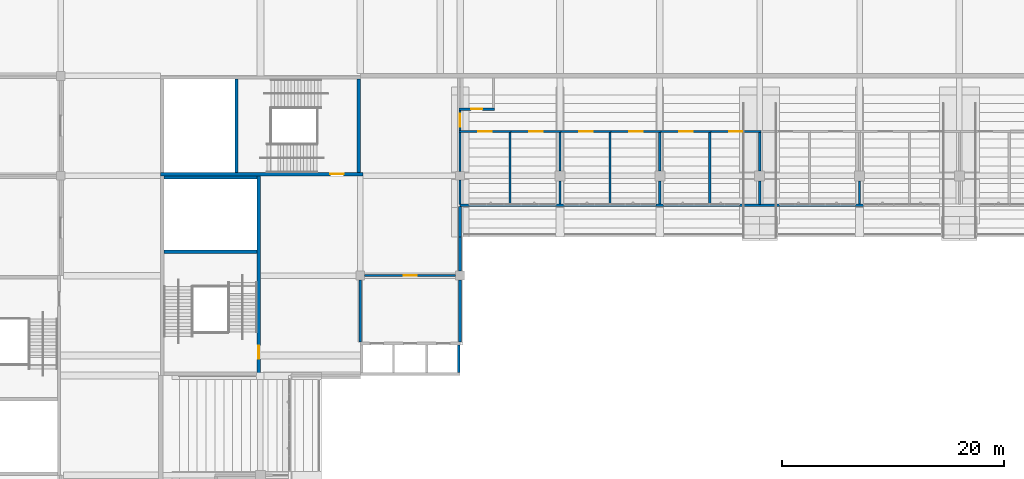
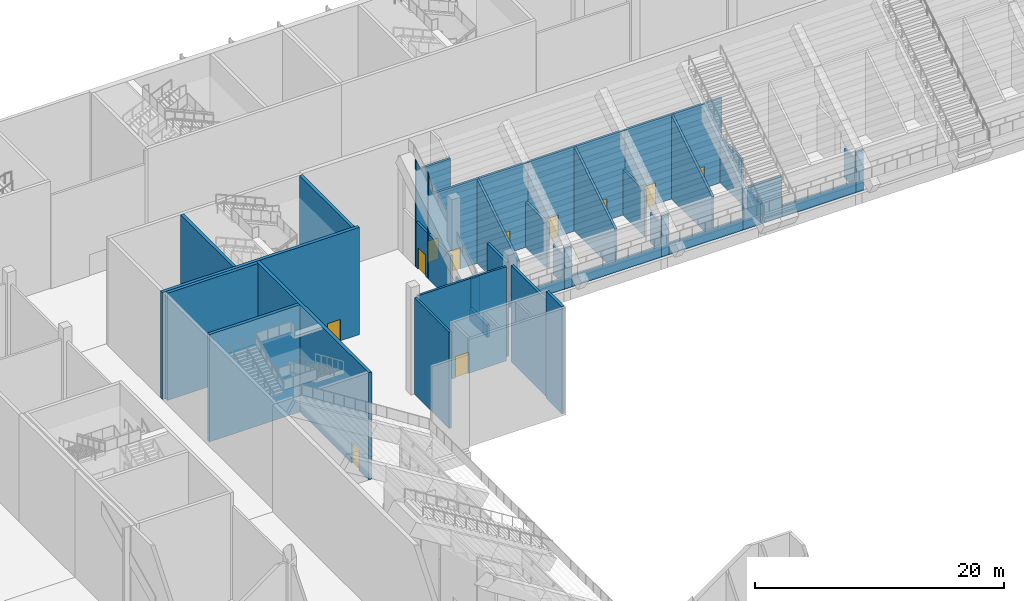
# One storey, part 85 of 182: 41 walls, 11 doors, 11 openings.
"""IFC4 building model written with IfcOpenShell, lengths in metres."""

from ifc_helpers import new_model, si_unit, direction, frame, frame_2d, origin, place, context, subcontext, project, spatial, polyline, rectangle, outline, extrude, material, layer, layer_set, type_object, element, fill, save


model = new_model("IFC4")

# Units and contexts
model_context = context("Model", 3, precision=1e-05, world=origin(), true_north=direction((0.0, 1.0)))
body_context = subcontext(model_context, "Body", "Model", "MODEL_VIEW")
ifc_project = project(units=[si_unit("LENGTHUNIT", "METRE"), si_unit("AREAUNIT", "SQUARE_METRE"), si_unit("VOLUMEUNIT", "CUBIC_METRE"), si_unit("PLANEANGLEUNIT", "RADIAN"), si_unit("MASSUNIT", "GRAM", prefix="KILO")], contexts=[model_context])

# Site, building, storey
site_placement = place(None, origin())
site = spatial("IfcSite", under=ifc_project, at=site_placement, CompositionType="ELEMENT")
building_placement = place(site_placement, origin())
building = spatial("IfcBuilding", under=site, at=building_placement, Name="Silverbay Arena", CompositionType="ELEMENT")
storey_placement = place(building_placement, frame((0.0, 0.0, 11.5)))
storey = spatial("IfcBuildingStorey", under=building, at=storey_placement, Name="L02", CompositionType="ELEMENT", Elevation=11.5)

# Walls
ifc_material_1 = material(Name="Concrete Grade C45", Category="concrete")
ifc_layer_1 = layer(ifc_material_1, 0.25)
ifc_layer_set_1 = layer_set([ifc_layer_1], Name="Concrete Grade C45")
wall_type_1 = type_object("IfcWallType", Name="Bowl enclosure wall RC 250 EI 120", PredefinedType="SOLIDWALL", material=ifc_layer_set_1)
wall_1_placement = place(storey_placement, frame((99.0, 102.0, 0.0), z_axis=(0.0, 0.0, 1.0), x_axis=(0.0, 1.0, 0.0)))
element("IfcWall", 1, at=wall_1_placement, inside=storey, type_object=wall_type_1, Name="Bowl enclosure wall, corner block NW-x", PredefinedType="SOLIDWALL", context=body_context, shape_type="SweptSolid", body=[
    extrude(rectangle(XDim=5.60009765625, YDim=0.25, at=frame_2d((2.800048828125, 0.0))), origin(), (0.0, 0.0, 1.0), 9.449951171875),
])
wall_2_placement = place(storey_placement, frame((99.0, 108.39990234375, 0.0), z_axis=(0.0, 0.0, 1.0), x_axis=(0.0, 1.0, 0.0)))
element("IfcWall", 2, at=wall_2_placement, inside=storey, type_object=wall_type_1, Name="Bowl enclosure wall, corner block NW-x", PredefinedType="SOLIDWALL", context=body_context, shape_type="SweptSolid", body=[
    extrude(rectangle(XDim=3.10009765625, YDim=0.25, at=frame_2d((1.550048828125, 0.0))), origin(), (0.0, 0.0, 1.0), 9.25),
])
wall_3_placement = place(storey_placement, frame((99.0, 111.5, 0.0), z_axis=(0.0, 0.0, 1.0), x_axis=(0.0, 1.0, 0.0)))
element("IfcWall", 3, at=wall_3_placement, inside=storey, type_object=wall_type_1, Name="Bowl enclosure wall, corner block NW-x", PredefinedType="SOLIDWALL", context=body_context, shape_type="SweptSolid", body=[
    extrude(rectangle(XDim=2.75, YDim=0.25, at=frame_2d((1.375, 0.0))), origin(), (0.0, 0.0, 1.0), 1.217041015625),
])

# Wall, opening, door
ifc_material_2 = material(Name="Concrete Grade C45", Category="concrete")
ifc_layer_2 = layer(ifc_material_2, 0.300048828125)
ifc_layer_set_2 = layer_set([ifc_layer_2], Name="Concrete Grade C45")
wall_type_2 = type_object("IfcWallType", Name="Core wall RC 300 EI 120", PredefinedType="SHEAR", material=ifc_layer_set_2)
wall_4_placement = place(storey_placement, frame((90.25, 117.14990234375, 0.0), z_axis=(0.0, 0.0, 1.0), x_axis=(-1.0, 0.0, 0.0)))
wall_4 = element("IfcWall", 4, at=wall_4_placement, inside=storey, type_object=wall_type_2, Name="Core wall ST-NW1 L02 door side", PredefinedType="SHEAR", context=body_context, shape_type="SweptSolid", body=[
    extrude(rectangle(XDim=18.25, YDim=0.300048828125, at=frame_2d((9.125, 0.0))), origin(), (0.0, 0.0, 1.0), 10.5),
])
opening_1_placement = place(wall_4_placement, frame((1.75, 0.0, 0.0)))
opening_1 = element("IfcOpeningElement", 5, at=opening_1_placement, cuts=wall_4, Name="Opening L02-095", PredefinedType="OPENING", context=body_context, shape_type="SweptSolid", body=[
    extrude(rectangle(XDim=1.199951171875, YDim=2.10009765625, at=frame_2d((0.60009765625, 1.050048828125))), frame((0.0, 0.16015625, 0.0), z_axis=(0.0, -1.0, 0.0), x_axis=(1.0, 0.0, 0.0)), (0.0, 0.0, 1.0), 0.320068359375),
])
ifc_material_3 = material(Name="Steel fire door", Category="steel")
door_type_1 = type_object("IfcDoorType", Name="Stair door 1200 x 2100 fire door", OperationType="SINGLE_SWING_LEFT", PredefinedType="DOOR", material=ifc_material_3)
door_1_placement = place(opening_1_placement, frame((1.199951171875, 0.0, 0.0), z_axis=(0.0, 0.0, 1.0), x_axis=(-1.0, 0.0, 0.0)))
door_1 = element("IfcDoor", 6, at=door_1_placement, inside=storey, type_object=door_type_1, Name="Stair door ST-NW1 L02", OperationType="SINGLE_SWING_RIGHT", OverallHeight=2.10009765625, OverallWidth=1.199951171875, PredefinedType="DOOR", context=body_context, shape_type="SweptSolid", body=[
    extrude(rectangle(XDim=1.199951171875, YDim=2.10009765625, at=frame_2d((0.60009765625, 1.050048828125))), frame((0.0, 0.02490234375, 0.0), z_axis=(0.0, -1.0, 0.0), x_axis=(1.0, 0.0, 0.0)), (0.0, 0.0, 1.0), 0.050048828125),
])
fill(opening_1, door_1)

# Walls
for number, where, z_axis, x_axis, name in (
    (7, (89.85009765625, 117.300048828125, 0.0), (0.0, 0.0, 1.0), (0.0, 1.0, 0.0), "Core wall ST-NW1 L02 end 1"),
    (8, (78.85009765625, 117.300048828125, 0.0), (0.0, 0.0, 1.0), (0.0, 1.0, 0.0), "Core wall ST-NW1 L02 stair enclosure"),
):
    element("IfcWall", number, at=place(storey_placement, frame(where, z_axis=z_axis, x_axis=x_axis)), inside=storey, type_object=wall_type_2, Name=name, PredefinedType="SHEAR", context=body_context, shape_type="SweptSolid", body=[
        extrude(rectangle(XDim=8.39990234375, YDim=0.300048828125, at=frame_2d((4.199951171875, 0.0))), origin(), (0.0, 0.0, 1.0), 10.5),
    ])

# Wall, opening, door
wall_5_placement = place(storey_placement, frame((80.85009765625, 99.0, 0.0), z_axis=(0.0, 0.0, 1.0), x_axis=(0.0, 1.0, 0.0)))
wall_5 = element("IfcWall", 9, at=wall_5_placement, inside=storey, type_object=wall_type_2, Name="Core wall ST-NW2 L02 door side", PredefinedType="SHEAR", context=body_context, shape_type="SweptSolid", body=[
    extrude(rectangle(XDim=18.0, YDim=0.300048828125, at=frame_2d((9.0, 0.0))), origin(), (0.0, 0.0, 1.0), 10.5),
])
opening_2_placement = place(wall_5_placement, frame((1.5, 0.0, 0.0)))
opening_2 = element("IfcOpeningElement", 10, at=opening_2_placement, cuts=wall_5, Name="Opening L02-096", PredefinedType="OPENING", context=body_context, shape_type="SweptSolid", body=[
    extrude(rectangle(XDim=1.199951171875, YDim=2.10009765625, at=frame_2d((0.60009765625, 1.050048828125))), frame((0.0, 0.16015625, 0.0), z_axis=(0.0, -1.0, 0.0), x_axis=(1.0, 0.0, 0.0)), (0.0, 0.0, 1.0), 0.320068359375),
])
door_2_placement = place(opening_2_placement, origin())
door_2 = element("IfcDoor", 11, at=door_2_placement, inside=storey, type_object=door_type_1, Name="Stair door ST-NW2 L02", OperationType="SINGLE_SWING_LEFT", OverallHeight=2.10009765625, OverallWidth=1.199951171875, PredefinedType="DOOR", context=body_context, shape_type="SweptSolid", body=[
    extrude(rectangle(XDim=1.199951171875, YDim=2.10009765625, at=frame_2d((0.60009765625, 1.050048828125))), frame((0.0, 0.02490234375, 0.0), z_axis=(0.0, -1.0, 0.0), x_axis=(1.0, 0.0, 0.0)), (0.0, 0.0, 1.0), 0.050048828125),
])
fill(opening_2, door_2)

# Walls
for number, where, z_axis, x_axis, name in (
    (12, (80.699951171875, 116.85009765625, 0.0), (0.0, 0.0, 1.0), (-1.0, 0.0, 0.0), "Core wall ST-NW2 L02 end 2"),
    (13, (80.699951171875, 110.14990234375, 0.0), (0.0, 0.0, 1.0), (-1.0, 0.0, 0.0), "Core wall ST-NW2 L02 stair enclosure"),
):
    element("IfcWall", number, at=place(storey_placement, frame(where, z_axis=z_axis, x_axis=x_axis)), inside=storey, type_object=wall_type_2, Name=name, PredefinedType="SHEAR", context=body_context, shape_type="SweptSolid", body=[
        extrude(rectangle(XDim=8.39990234375, YDim=0.300048828125, at=frame_2d((4.199951171875, 0.0))), origin(), (0.0, 0.0, 1.0), 10.5),
    ])
ifc_material_4 = material(Name="Concrete Grade C45", Category="concrete")
ifc_layer_3 = layer(ifc_material_4, 0.25)
ifc_layer_set_3 = layer_set([ifc_layer_3], Name="Concrete Grade C45")
wall_type_3 = type_object("IfcWallType", Name="Lift shaft wall RC 250 EI 120", PredefinedType="SHEAR", material=ifc_layer_set_3)
wall_6_placement = place(storey_placement, frame((98.875, 99.25, 0.0), z_axis=(0.0, 0.0, 1.0), x_axis=(0.0, 1.0, 0.0)))
element("IfcWall", 14, at=wall_6_placement, inside=storey, type_object=wall_type_3, Name="Lift shaft wall LB-NW L02 end", PredefinedType="SHEAR", context=body_context, shape_type="SweptSolid", body=[
    extrude(rectangle(XDim=2.5, YDim=0.25, at=frame_2d((1.25, 0.0))), origin(), (0.0, 0.0, 1.0), 10.5),
])

# Wall, opening, door
ifc_material_5 = material(Name="Masonry blockwork partition", Category="masonry")
ifc_layer_4 = layer(ifc_material_5, 0.199951171875)
ifc_layer_set_4 = layer_set([ifc_layer_4], Name="Masonry blockwork partition")
wall_type_4 = type_object("IfcWallType", Name="Partition 200 EI 120", PredefinedType="PARTITIONING", material=ifc_layer_set_4)
wall_7_placement = place(storey_placement, frame((90.39990234375, 108.0, 0.0), z_axis=(0.0, 0.0, 1.0), x_axis=(1.0, 0.0, 0.0)))
wall_7 = element("IfcWall", 15, at=wall_7_placement, inside=storey, type_object=wall_type_4, Name="Partition wall", PredefinedType="PARTITIONING", context=body_context, shape_type="SweptSolid", body=[
    extrude(rectangle(XDim=8.2001953125, YDim=0.199951171875, at=frame_2d((4.10009765625, 0.0))), origin(), (0.0, 0.0, 1.0), 9.25),
])
opening_3_placement = place(wall_7_placement, frame((3.5, 0.0, 0.0)))
opening_3 = element("IfcOpeningElement", 16, at=opening_3_placement, cuts=wall_7, Name="Opening L02-021", PredefinedType="OPENING", context=body_context, shape_type="SweptSolid", body=[
    extrude(rectangle(XDim=1.199951171875, YDim=2.10009765625, at=frame_2d((0.60009765625, 1.050048828125))), frame((0.0, 0.10986328125, 0.0), z_axis=(0.0, -1.0, 0.0), x_axis=(1.0, 0.0, 0.0)), (0.0, 0.0, 1.0), 0.219970703125),
])
ifc_material_6 = material(Name="Steel faced timber", Category="steel")
door_type_2 = type_object("IfcDoorType", Name="Single leaf door 1200 x 2100 FD60", OperationType="SINGLE_SWING_LEFT", PredefinedType="DOOR", material=ifc_material_6)
door_3_placement = place(opening_3_placement, origin())
door_3 = element("IfcDoor", 17, at=door_3_placement, inside=storey, type_object=door_type_2, Name="Door L02-021", OperationType="SINGLE_SWING_LEFT", OverallHeight=2.10009765625, OverallWidth=1.199951171875, PredefinedType="DOOR", context=body_context, shape_type="SweptSolid", body=[
    extrude(rectangle(XDim=1.199951171875, YDim=2.10009765625, at=frame_2d((0.60009765625, 1.050048828125))), frame((0.0, 0.02490234375, 0.0), z_axis=(0.0, -1.0, 0.0), x_axis=(1.0, 0.0, 0.0)), (0.0, 0.0, 1.0), 0.050048828125),
])
fill(opening_3, door_3)

wall_8_placement = place(storey_placement, frame((98.89990234375, 121.0, 0.0), z_axis=(0.0, 0.0, 1.0), x_axis=(1.0, 0.0, 0.0)))
wall_8 = element("IfcWall", 18, at=wall_8_placement, inside=storey, type_object=wall_type_4, Name="Partition wall", PredefinedType="PARTITIONING", context=body_context, shape_type="SweptSolid", body=[
    extrude(outline(polyline([(0.0, 0.0), (4.7001953125, 0.0), (4.699951171875, 8.257568359375), (0.469970703125, 8.257568359375), (0.0, 10.5), (0.0, 0.0)])), frame((0.0, 0.10009765625, 0.0), z_axis=(0.0, -1.0, 0.0), x_axis=(1.0, 0.0, 0.0)), (0.0, 0.0, 1.0), 0.199951171875),
])
opening_4_placement = place(wall_8_placement, frame((1.75, 0.0, 0.0)))
opening_4 = element("IfcOpeningElement", 19, at=opening_4_placement, cuts=wall_8, Name="Opening L02-039", PredefinedType="OPENING", context=body_context, shape_type="SweptSolid", body=[
    extrude(rectangle(XDim=1.199951171875, YDim=2.10009765625, at=frame_2d((0.60009765625, 1.050048828125))), frame((0.0, 0.10986328125, 0.0), z_axis=(0.0, -1.0, 0.0), x_axis=(1.0, 0.0, 0.0)), (0.0, 0.0, 1.0), 0.219970703125),
])
ifc_material_7 = material(Name="Steel faced timber", Category="steel")
door_type_3 = type_object("IfcDoorType", Name="Single leaf door 1200 x 2100 FD120", OperationType="SINGLE_SWING_LEFT", PredefinedType="DOOR", material=ifc_material_7)
door_4_placement = place(opening_4_placement, frame((1.199951171875, 0.0, 0.0), z_axis=(0.0, 0.0, 1.0), x_axis=(-1.0, 0.0, 0.0)))
door_4 = element("IfcDoor", 20, at=door_4_placement, inside=storey, type_object=door_type_3, Name="Door L02-039", OperationType="SINGLE_SWING_RIGHT", OverallHeight=2.10009765625, OverallWidth=1.199951171875, PredefinedType="DOOR", context=body_context, shape_type="SweptSolid", body=[
    extrude(rectangle(XDim=1.199951171875, YDim=2.10009765625, at=frame_2d((0.60009765625, 1.050048828125))), frame((0.0, 0.02490234375, 0.0), z_axis=(0.0, -1.0, 0.0), x_axis=(1.0, 0.0, 0.0)), (0.0, 0.0, 1.0), 0.050048828125),
])
fill(opening_4, door_4)

wall_9_placement = place(storey_placement, frame((103.60009765625, 121.0, 0.0), z_axis=(0.0, 0.0, 1.0), x_axis=(1.0, 0.0, 0.0)))
wall_9 = element("IfcWall", 21, at=wall_9_placement, inside=storey, type_object=wall_type_4, Name="Partition wall", PredefinedType="PARTITIONING", context=body_context, shape_type="SweptSolid", body=[
    extrude(rectangle(XDim=4.5, YDim=0.199951171875, at=frame_2d((2.25, 0.0))), origin(), (0.0, 0.0, 1.0), 8.257568359375),
])
opening_5_placement = place(wall_9_placement, frame((1.64990234375, 0.0, 0.0)))
opening_5 = element("IfcOpeningElement", 22, at=opening_5_placement, cuts=wall_9, Name="Opening L02-040", PredefinedType="OPENING", context=body_context, shape_type="SweptSolid", body=[
    extrude(rectangle(XDim=1.199951171875, YDim=2.10009765625, at=frame_2d((0.60009765625, 1.050048828125))), frame((0.0, 0.10986328125, 0.0), z_axis=(0.0, -1.0, 0.0), x_axis=(1.0, 0.0, 0.0)), (0.0, 0.0, 1.0), 0.219970703125),
])
door_5_placement = place(opening_5_placement, frame((1.199951171875, 0.0, 0.0), z_axis=(0.0, 0.0, 1.0), x_axis=(-1.0, 0.0, 0.0)))
door_5 = element("IfcDoor", 23, at=door_5_placement, inside=storey, type_object=door_type_3, Name="Door L02-040", OperationType="SINGLE_SWING_LEFT", OverallHeight=2.10009765625, OverallWidth=1.199951171875, PredefinedType="DOOR", context=body_context, shape_type="SweptSolid", body=[
    extrude(rectangle(XDim=1.199951171875, YDim=2.10009765625, at=frame_2d((0.60009765625, 1.050048828125))), frame((0.0, 0.02490234375, 0.0), z_axis=(0.0, -1.0, 0.0), x_axis=(1.0, 0.0, 0.0)), (0.0, 0.0, 1.0), 0.050048828125),
])
fill(opening_5, door_5)

wall_10_placement = place(storey_placement, frame((108.10009765625, 121.0, 0.0), z_axis=(0.0, 0.0, 1.0), x_axis=(1.0, 0.0, 0.0)))
wall_10 = element("IfcWall", 24, at=wall_10_placement, inside=storey, type_object=wall_type_4, Name="Partition wall", PredefinedType="PARTITIONING", context=body_context, shape_type="SweptSolid", body=[
    extrude(rectangle(XDim=4.5, YDim=0.199951171875, at=frame_2d((2.25, 0.0))), origin(), (0.0, 0.0, 1.0), 8.257568359375),
])
opening_6_placement = place(wall_10_placement, frame((1.64990234375, 0.0, 0.0)))
opening_6 = element("IfcOpeningElement", 25, at=opening_6_placement, cuts=wall_10, Name="Opening L02-041", PredefinedType="OPENING", context=body_context, shape_type="SweptSolid", body=[
    extrude(rectangle(XDim=1.199951171875, YDim=2.10009765625, at=frame_2d((0.60009765625, 1.050048828125))), frame((0.0, 0.10986328125, 0.0), z_axis=(0.0, -1.0, 0.0), x_axis=(1.0, 0.0, 0.0)), (0.0, 0.0, 1.0), 0.219970703125),
])
door_6_placement = place(opening_6_placement, frame((1.199951171875, 0.0, 0.0), z_axis=(0.0, 0.0, 1.0), x_axis=(-1.0, 0.0, 0.0)))
door_6 = element("IfcDoor", 26, at=door_6_placement, inside=storey, type_object=door_type_3, Name="Door L02-041", OperationType="SINGLE_SWING_RIGHT", OverallHeight=2.10009765625, OverallWidth=1.199951171875, PredefinedType="DOOR", context=body_context, shape_type="SweptSolid", body=[
    extrude(rectangle(XDim=1.199951171875, YDim=2.10009765625, at=frame_2d((0.60009765625, 1.050048828125))), frame((0.0, 0.02490234375, 0.0), z_axis=(0.0, -1.0, 0.0), x_axis=(1.0, 0.0, 0.0)), (0.0, 0.0, 1.0), 0.050048828125),
])
fill(opening_6, door_6)

wall_11_placement = place(storey_placement, frame((112.60009765625, 121.0, 0.0), z_axis=(0.0, 0.0, 1.0), x_axis=(1.0, 0.0, 0.0)))
wall_11 = element("IfcWall", 27, at=wall_11_placement, inside=storey, type_object=wall_type_4, Name="Partition wall", PredefinedType="PARTITIONING", context=body_context, shape_type="SweptSolid", body=[
    extrude(rectangle(XDim=4.5, YDim=0.199951171875, at=frame_2d((2.25, 0.0))), origin(), (0.0, 0.0, 1.0), 8.257568359375),
])
opening_7_placement = place(wall_11_placement, frame((1.64990234375, 0.0, 0.0)))
opening_7 = element("IfcOpeningElement", 28, at=opening_7_placement, cuts=wall_11, Name="Opening L02-042", PredefinedType="OPENING", context=body_context, shape_type="SweptSolid", body=[
    extrude(rectangle(XDim=1.199951171875, YDim=2.10009765625, at=frame_2d((0.60009765625, 1.050048828125))), frame((0.0, 0.10986328125, 0.0), z_axis=(0.0, -1.0, 0.0), x_axis=(1.0, 0.0, 0.0)), (0.0, 0.0, 1.0), 0.219970703125),
])
door_7_placement = place(opening_7_placement, frame((1.199951171875, 0.0, 0.0), z_axis=(0.0, 0.0, 1.0), x_axis=(-1.0, 0.0, 0.0)))
door_7 = element("IfcDoor", 29, at=door_7_placement, inside=storey, type_object=door_type_3, Name="Door L02-042", OperationType="SINGLE_SWING_LEFT", OverallHeight=2.10009765625, OverallWidth=1.199951171875, PredefinedType="DOOR", context=body_context, shape_type="SweptSolid", body=[
    extrude(rectangle(XDim=1.199951171875, YDim=2.10009765625, at=frame_2d((0.60009765625, 1.050048828125))), frame((0.0, 0.02490234375, 0.0), z_axis=(0.0, -1.0, 0.0), x_axis=(1.0, 0.0, 0.0)), (0.0, 0.0, 1.0), 0.050048828125),
])
fill(opening_7, door_7)

wall_12_placement = place(storey_placement, frame((117.10009765625, 121.0, 0.0), z_axis=(0.0, 0.0, 1.0), x_axis=(1.0, 0.0, 0.0)))
wall_12 = element("IfcWall", 30, at=wall_12_placement, inside=storey, type_object=wall_type_4, Name="Partition wall", PredefinedType="PARTITIONING", context=body_context, shape_type="SweptSolid", body=[
    extrude(rectangle(XDim=4.5, YDim=0.199951171875, at=frame_2d((2.25, 0.0))), origin(), (0.0, 0.0, 1.0), 8.257568359375),
])
opening_8_placement = place(wall_12_placement, frame((1.64990234375, 0.0, 0.0)))
opening_8 = element("IfcOpeningElement", 31, at=opening_8_placement, cuts=wall_12, Name="Opening L02-043", PredefinedType="OPENING", context=body_context, shape_type="SweptSolid", body=[
    extrude(rectangle(XDim=1.199951171875, YDim=2.10009765625, at=frame_2d((0.60009765625, 1.050048828125))), frame((0.0, 0.10986328125, 0.0), z_axis=(0.0, -1.0, 0.0), x_axis=(1.0, 0.0, 0.0)), (0.0, 0.0, 1.0), 0.219970703125),
])
door_8_placement = place(opening_8_placement, frame((1.199951171875, 0.0, 0.0), z_axis=(0.0, 0.0, 1.0), x_axis=(-1.0, 0.0, 0.0)))
door_8 = element("IfcDoor", 32, at=door_8_placement, inside=storey, type_object=door_type_3, Name="Door L02-043", OperationType="SINGLE_SWING_RIGHT", OverallHeight=2.10009765625, OverallWidth=1.199951171875, PredefinedType="DOOR", context=body_context, shape_type="SweptSolid", body=[
    extrude(rectangle(XDim=1.199951171875, YDim=2.10009765625, at=frame_2d((0.60009765625, 1.050048828125))), frame((0.0, 0.02490234375, 0.0), z_axis=(0.0, -1.0, 0.0), x_axis=(1.0, 0.0, 0.0)), (0.0, 0.0, 1.0), 0.050048828125),
])
fill(opening_8, door_8)

wall_13_placement = place(storey_placement, frame((121.60009765625, 121.0, 0.0), z_axis=(0.0, 0.0, 1.0), x_axis=(1.0, 0.0, 0.0)))
wall_13 = element("IfcWall", 33, at=wall_13_placement, inside=storey, type_object=wall_type_4, Name="Partition wall", PredefinedType="PARTITIONING", context=body_context, shape_type="SweptSolid", body=[
    extrude(rectangle(XDim=4.5, YDim=0.199951171875, at=frame_2d((2.25, 0.0))), origin(), (0.0, 0.0, 1.0), 8.257568359375),
])
opening_9_placement = place(wall_13_placement, frame((1.64990234375, 0.0, 0.0)))
opening_9 = element("IfcOpeningElement", 34, at=opening_9_placement, cuts=wall_13, Name="Opening L02-044", PredefinedType="OPENING", context=body_context, shape_type="SweptSolid", body=[
    extrude(rectangle(XDim=1.199951171875, YDim=2.10009765625, at=frame_2d((0.60009765625, 1.050048828125))), frame((0.0, 0.10986328125, 0.0), z_axis=(0.0, -1.0, 0.0), x_axis=(1.0, 0.0, 0.0)), (0.0, 0.0, 1.0), 0.219970703125),
])
door_9_placement = place(opening_9_placement, frame((1.199951171875, 0.0, 0.0), z_axis=(0.0, 0.0, 1.0), x_axis=(-1.0, 0.0, 0.0)))
door_9 = element("IfcDoor", 35, at=door_9_placement, inside=storey, type_object=door_type_3, Name="Door L02-044", OperationType="SINGLE_SWING_LEFT", OverallHeight=2.10009765625, OverallWidth=1.199951171875, PredefinedType="DOOR", context=body_context, shape_type="SweptSolid", body=[
    extrude(rectangle(XDim=1.199951171875, YDim=2.10009765625, at=frame_2d((0.60009765625, 1.050048828125))), frame((0.0, 0.02490234375, 0.0), z_axis=(0.0, -1.0, 0.0), x_axis=(1.0, 0.0, 0.0)), (0.0, 0.0, 1.0), 0.050048828125),
])
fill(opening_9, door_9)

# Walls
wall_14_placement = place(storey_placement, frame((90.0, 102.0, 0.0), z_axis=(0.0, 0.0, 1.0), x_axis=(0.0, 1.0, 0.0)))
element("IfcWall", 36, at=wall_14_placement, inside=storey, type_object=wall_type_4, Name="Partition wall", PredefinedType="PARTITIONING", context=body_context, shape_type="SweptSolid", body=[
    extrude(rectangle(XDim=5.60009765625, YDim=0.199951171875, at=frame_2d((2.800048828125, 0.0))), origin(), (0.0, 0.0, 1.0), 9.449951171875),
])
wall_15_placement = place(storey_placement, frame((99.0, 114.39990234375, 0.0), z_axis=(0.0, 0.0, 1.0), x_axis=(0.0, 1.0, 0.0)))
element("IfcWall", 37, at=wall_15_placement, inside=storey, type_object=wall_type_4, Name="Partition wall", PredefinedType="PARTITIONING", context=body_context, shape_type="SweptSolid", body=[
    extrude(rectangle(XDim=2.2001953125, YDim=0.199951171875, at=frame_2d((1.10009765625, 0.0))), origin(), (0.0, 0.0, 1.0), 2.876953125),
])
wall_16_placement = place(storey_placement, frame((99.0, 117.39990234375, 0.0), z_axis=(0.0, 0.0, 1.0), x_axis=(0.0, 1.0, 0.0)))
element("IfcWall", 38, at=wall_16_placement, inside=storey, type_object=wall_type_4, Name="Partition wall", PredefinedType="PARTITIONING", context=body_context, shape_type="SweptSolid", body=[
    extrude(rectangle(XDim=3.5, YDim=0.199951171875, at=frame_2d((1.75, 0.0))), origin(), (0.0, 0.0, 1.0), 4.43896484375),
])

# Wall, opening, door
wall_17_placement = place(storey_placement, frame((99.0, 121.10009765625, 0.0), z_axis=(0.0, 0.0, 1.0), x_axis=(0.0, 1.0, 0.0)))
wall_17 = element("IfcWall", 39, at=wall_17_placement, inside=storey, type_object=wall_type_4, Name="Partition wall", PredefinedType="PARTITIONING", context=body_context, shape_type="SweptSolid", body=[
    extrude(rectangle(XDim=1.7998046875, YDim=0.199951171875, at=frame_2d((0.89990234375, 0.0))), origin(), (0.0, 0.0, 1.0), 4.43896484375),
])
opening_10_placement = place(wall_17_placement, frame((0.300048828125, 0.0, 0.0)))
opening_10 = element("IfcOpeningElement", 40, at=opening_10_placement, cuts=wall_17, Name="Opening L02-064", PredefinedType="OPENING", context=body_context, shape_type="SweptSolid", body=[
    extrude(rectangle(XDim=1.199951171875, YDim=2.10009765625, at=frame_2d((0.60009765625, 1.050048828125))), frame((0.0, 0.10986328125, 0.0), z_axis=(0.0, -1.0, 0.0), x_axis=(1.0, 0.0, 0.0)), (0.0, 0.0, 1.0), 0.219970703125),
])
door_10_placement = place(opening_10_placement, origin())
door_10 = element("IfcDoor", 41, at=door_10_placement, inside=storey, type_object=door_type_3, Name="Door L02-064", OperationType="SINGLE_SWING_RIGHT", OverallHeight=2.10009765625, OverallWidth=1.199951171875, PredefinedType="DOOR", context=body_context, shape_type="SweptSolid", body=[
    extrude(rectangle(XDim=1.199951171875, YDim=2.10009765625, at=frame_2d((0.60009765625, 1.050048828125))), frame((0.0, 0.02490234375, 0.0), z_axis=(0.0, -1.0, 0.0), x_axis=(1.0, 0.0, 0.0)), (0.0, 0.0, 1.0), 0.050048828125),
])
fill(opening_10, door_10)

ifc_material_8 = material(Name="Gypsum board partition on steel studs", Category="steel")
ifc_layer_5 = layer(ifc_material_8, 0.199951171875)
ifc_layer_set_5 = layer_set([ifc_layer_5], Name="Gypsum board partition on steel studs")
wall_type_5 = type_object("IfcWallType", Name="Partition 200 EI 60", PredefinedType="PARTITIONING", material=ifc_layer_set_5)
wall_18_placement = place(storey_placement, frame((98.89990234375, 123.0, 0.0), z_axis=(0.0, 0.0, 1.0), x_axis=(1.0, 0.0, 0.0)))
wall_18 = element("IfcWall", 42, at=wall_18_placement, inside=storey, type_object=wall_type_5, Name="Partition wall", PredefinedType="PARTITIONING", context=body_context, shape_type="SweptSolid", body=[
    extrude(outline(polyline([(0.0, 0.0), (3.2001953125, 0.0), (3.199951171875, 9.507568359375), (0.45703125, 9.507568359375), (0.0, 10.5), (0.0, 0.0)])), frame((0.0, 0.10009765625, 0.0), z_axis=(0.0, -1.0, 0.0), x_axis=(1.0, 0.0, 0.0)), (0.0, 0.0, 1.0), 0.199951171875),
])
opening_11_placement = place(wall_18_placement, frame((1.10009765625, 0.0, 0.0)))
opening_11 = element("IfcOpeningElement", 43, at=opening_11_placement, cuts=wall_18, Name="Opening L02-038", PredefinedType="OPENING", context=body_context, shape_type="SweptSolid", body=[
    extrude(rectangle(XDim=1.0, YDim=2.10009765625, at=frame_2d((0.5, 1.050048828125))), frame((0.0, 0.10986328125, 0.0), z_axis=(0.0, -1.0, 0.0), x_axis=(1.0, 0.0, 0.0)), (0.0, 0.0, 1.0), 0.219970703125),
])
ifc_material_9 = material(Name="Steel faced timber", Category="steel")
door_type_4 = type_object("IfcDoorType", Name="Single leaf door 1000 x 2100 FD30S", OperationType="SINGLE_SWING_LEFT", PredefinedType="DOOR", material=ifc_material_9)
door_11_placement = place(opening_11_placement, origin())
door_11 = element("IfcDoor", 44, at=door_11_placement, inside=storey, type_object=door_type_4, Name="Door L02-038", OperationType="SINGLE_SWING_RIGHT", OverallHeight=2.10009765625, OverallWidth=1.0, PredefinedType="DOOR", context=body_context, shape_type="SweptSolid", body=[
    extrude(rectangle(XDim=1.0, YDim=2.10009765625, at=frame_2d((0.5, 1.050048828125))), frame((0.0, 0.02490234375, 0.0), z_axis=(0.0, -1.0, 0.0), x_axis=(1.0, 0.0, 0.0)), (0.0, 0.0, 1.0), 0.050048828125),
])
fill(opening_11, door_11)

# Walls
wall_19_placement = place(storey_placement, frame((103.5, 114.39990234375, 0.0), z_axis=(0.0, 0.0, 1.0), x_axis=(0.0, 1.0, 0.0)))
element("IfcWall", 45, at=wall_19_placement, inside=storey, type_object=wall_type_5, Name="Partition wall", PredefinedType="PARTITIONING", context=body_context, shape_type="SweptSolid", body=[
    extrude(outline(polyline([(0.0, 0.0), (6.5, 0.0), (6.5, 8.195068359375), (0.0, 4.132568359375), (0.0, 0.0)])), frame((0.0, 0.10009765625, 0.0), z_axis=(0.0, -1.0, 0.0), x_axis=(1.0, 0.0, 0.0)), (0.0, 0.0, 1.0), 0.199951171875),
])
wall_20_placement = place(storey_placement, frame((108.0, 114.39990234375, 0.0), z_axis=(0.0, 0.0, 1.0), x_axis=(0.0, 1.0, 0.0)))
element("IfcWall", 46, at=wall_20_placement, inside=storey, type_object=wall_type_5, Name="Partition wall", PredefinedType="PARTITIONING", context=body_context, shape_type="SweptSolid", body=[
    extrude(outline(polyline([(0.0, 0.0), (2.150146484375, 0.0), (2.14990234375, 2.876953125), (0.071044921875, 2.876953125), (0.0, 2.83251953125), (0.0, 0.0)])), frame((0.0, 0.10009765625, 0.0), z_axis=(0.0, -1.0, 0.0), x_axis=(1.0, 0.0, 0.0)), (0.0, 0.0, 1.0), 0.199951171875),
])
wall_21_placement = place(storey_placement, frame((108.0, 117.449951171875, 0.0), z_axis=(0.0, 0.0, 1.0), x_axis=(0.0, 1.0, 0.0)))
element("IfcWall", 47, at=wall_21_placement, inside=storey, type_object=wall_type_5, Name="Partition wall", PredefinedType="PARTITIONING", context=body_context, shape_type="SweptSolid", body=[
    extrude(rectangle(XDim=3.449951171875, YDim=0.199951171875, at=frame_2d((1.72509765625, 0.0))), origin(), (0.0, 0.0, 1.0), 4.43896484375),
])
wall_22_placement = place(storey_placement, frame((112.5, 114.39990234375, 0.0), z_axis=(0.0, 0.0, 1.0), x_axis=(0.0, 1.0, 0.0)))
element("IfcWall", 48, at=wall_22_placement, inside=storey, type_object=wall_type_5, Name="Partition wall", PredefinedType="PARTITIONING", context=body_context, shape_type="SweptSolid", body=[
    extrude(outline(polyline([(0.0, 0.0), (6.5, 0.0), (6.5, 8.195068359375), (0.0, 4.132568359375), (0.0, 0.0)])), frame((0.0, 0.10009765625, 0.0), z_axis=(0.0, -1.0, 0.0), x_axis=(1.0, 0.0, 0.0)), (0.0, 0.0, 1.0), 0.199951171875),
])
wall_23_placement = place(storey_placement, frame((117.0, 114.39990234375, 0.0), z_axis=(0.0, 0.0, 1.0), x_axis=(0.0, 1.0, 0.0)))
element("IfcWall", 49, at=wall_23_placement, inside=storey, type_object=wall_type_5, Name="Partition wall", PredefinedType="PARTITIONING", context=body_context, shape_type="SweptSolid", body=[
    extrude(outline(polyline([(0.0, 0.0), (2.150146484375, 0.0), (2.14990234375, 2.876953125), (0.071044921875, 2.876953125), (0.0, 2.83251953125), (0.0, 0.0)])), frame((0.0, 0.10009765625, 0.0), z_axis=(0.0, -1.0, 0.0), x_axis=(1.0, 0.0, 0.0)), (0.0, 0.0, 1.0), 0.199951171875),
])
wall_24_placement = place(storey_placement, frame((117.0, 117.449951171875, 0.0), z_axis=(0.0, 0.0, 1.0), x_axis=(0.0, 1.0, 0.0)))
element("IfcWall", 50, at=wall_24_placement, inside=storey, type_object=wall_type_5, Name="Partition wall", PredefinedType="PARTITIONING", context=body_context, shape_type="SweptSolid", body=[
    extrude(rectangle(XDim=3.449951171875, YDim=0.199951171875, at=frame_2d((1.72509765625, 0.0))), origin(), (0.0, 0.0, 1.0), 4.43896484375),
])
wall_25_placement = place(storey_placement, frame((121.5, 114.39990234375, 0.0), z_axis=(0.0, 0.0, 1.0), x_axis=(0.0, 1.0, 0.0)))
element("IfcWall", 51, at=wall_25_placement, inside=storey, type_object=wall_type_5, Name="Partition wall", PredefinedType="PARTITIONING", context=body_context, shape_type="SweptSolid", body=[
    extrude(outline(polyline([(0.0, 0.0), (6.5, 0.0), (6.5, 8.195068359375), (0.0, 4.132568359375), (0.0, 0.0)])), frame((0.0, 0.10009765625, 0.0), z_axis=(0.0, -1.0, 0.0), x_axis=(1.0, 0.0, 0.0)), (0.0, 0.0, 1.0), 0.199951171875),
])
wall_26_placement = place(storey_placement, frame((126.0, 114.39990234375, 0.0), z_axis=(0.0, 0.0, 1.0), x_axis=(0.0, 1.0, 0.0)))
element("IfcWall", 52, at=wall_26_placement, inside=storey, type_object=wall_type_5, Name="Partition wall", PredefinedType="PARTITIONING", context=body_context, shape_type="SweptSolid", body=[
    extrude(rectangle(XDim=2.150146484375, YDim=0.199951171875, at=frame_2d((1.0751953125, 0.0))), origin(), (0.0, 0.0, 1.0), 1.93896484375),
])
wall_27_placement = place(storey_placement, frame((126.0, 117.449951171875, 0.0), z_axis=(0.0, 0.0, 1.0), x_axis=(0.0, 1.0, 0.0)))
element("IfcWall", 53, at=wall_27_placement, inside=storey, type_object=wall_type_5, Name="Partition wall", PredefinedType="PARTITIONING", context=body_context, shape_type="SweptSolid", body=[
    extrude(rectangle(XDim=3.449951171875, YDim=0.199951171875, at=frame_2d((1.72509765625, 0.0))), origin(), (0.0, 0.0, 1.0), 4.43896484375),
])
wall_28_placement = place(storey_placement, frame((135.0, 114.39990234375, 0.0), z_axis=(0.0, 0.0, 1.0), x_axis=(0.0, 1.0, 0.0)))
element("IfcWall", 54, at=wall_28_placement, inside=storey, type_object=wall_type_5, Name="Partition wall", PredefinedType="PARTITIONING", context=body_context, shape_type="SweptSolid", body=[
    extrude(outline(polyline([(0.0, 0.0), (2.150146484375, 0.0), (2.14990234375, 2.876953125), (0.071044921875, 2.876953125), (0.0, 2.83251953125), (0.0, 0.0)])), frame((0.0, 0.10009765625, 0.0), z_axis=(0.0, -1.0, 0.0), x_axis=(1.0, 0.0, 0.0)), (0.0, 0.0, 1.0), 0.199951171875),
])
ifc_material_10 = material(Name="Concrete Grade C45", Category="concrete")
ifc_layer_6 = layer(ifc_material_10, 0.199951171875)
ifc_layer_set_6 = layer_set([ifc_layer_6], Name="Concrete Grade C45")
wall_type_6 = type_object("IfcWallType", Name="Suite front pier wall 200 EI 120", PredefinedType="SOLIDWALL", material=ifc_layer_set_6)
wall_29_placement = place(storey_placement, frame((99.0, 114.35009765625, 0.0), z_axis=(0.0, 0.0, 1.0), x_axis=(1.0, 0.0, 0.0)))
element("IfcWall", 55, at=wall_29_placement, inside=storey, type_object=wall_type_6, Name="North suite front pier 1", PredefinedType="SOLIDWALL", context=body_context, shape_type="SweptSolid", body=[
    extrude(rectangle(XDim=0.800048828125, YDim=0.199951171875, at=frame_2d((0.39990234375, 0.0))), origin(), (0.0, 0.0, 1.0), 4.033935546875),
])
for number, where, z_axis, x_axis, name in (
    (56, (107.64990234375, 114.35009765625, 0.0), (0.0, 0.0, 1.0), (1.0, 0.0, 0.0), "North suite front pier 2"),
    (57, (116.64990234375, 114.35009765625, 0.0), (0.0, 0.0, 1.0), (1.0, 0.0, 0.0), "North suite front pier 3"),
):
    element("IfcWall", number, at=place(storey_placement, frame(where, z_axis=z_axis, x_axis=x_axis)), inside=storey, type_object=wall_type_6, Name=name, PredefinedType="SOLIDWALL", context=body_context, shape_type="SweptSolid", body=[
        extrude(rectangle(XDim=0.7001953125, YDim=0.199951171875, at=frame_2d((0.35009765625, 0.0))), origin(), (0.0, 0.0, 1.0), 4.033935546875),
    ])
wall_30_placement = place(storey_placement, frame((124.199951171875, 114.35009765625, 0.0), z_axis=(0.0, 0.0, 1.0), x_axis=(1.0, 0.0, 0.0)))
element("IfcWall", 58, at=wall_30_placement, inside=storey, type_object=wall_type_6, Name="North suite front pier 4", PredefinedType="SOLIDWALL", context=body_context, shape_type="SweptSolid", body=[
    extrude(rectangle(XDim=3.60009765625, YDim=0.199951171875, at=frame_2d((1.800048828125, 0.0))), origin(), (0.0, 0.0, 1.0), 4.033935546875),
])
wall_31_placement = place(storey_placement, frame((134.64990234375, 114.35009765625, 0.0), z_axis=(0.0, 0.0, 1.0), x_axis=(1.0, 0.0, 0.0)))
element("IfcWall", 59, at=wall_31_placement, inside=storey, type_object=wall_type_6, Name="North suite front pier 5", PredefinedType="SOLIDWALL", context=body_context, shape_type="SweptSolid", body=[
    extrude(rectangle(XDim=0.7001953125, YDim=0.199951171875, at=frame_2d((0.35009765625, 0.0))), origin(), (0.0, 0.0, 1.0), 4.033935546875),
])
ifc_material_11 = material(Name="Concrete Grade C45", Category="concrete")
ifc_layer_7 = layer(ifc_material_11, 0.199951171875)
ifc_layer_set_7 = layer_set([ifc_layer_7], Name="Concrete Grade C45")
wall_type_7 = type_object("IfcWallType", Name="Suite front spandrel wall 200 EI 120", PredefinedType="SOLIDWALL", material=ifc_layer_set_7)
wall_32_placement = place(storey_placement, frame((99.800048828125, 114.35009765625, 0.0), z_axis=(0.0, 0.0, 1.0), x_axis=(1.0, 0.0, 0.0)))
element("IfcWall", 60, at=wall_32_placement, inside=storey, type_object=wall_type_7, Name="North suite front spandrel 1", PredefinedType="SOLIDWALL", context=body_context, shape_type="SweptSolid", body=[
    extrude(rectangle(XDim=7.849853515625, YDim=0.199951171875, at=frame_2d((3.9248046875, 0.0))), origin(), (0.0, 0.0, 1.0), 1.10009765625),
])
wall_33_placement = place(storey_placement, frame((108.35009765625, 114.35009765625, 0.0), z_axis=(0.0, 0.0, 1.0), x_axis=(1.0, 0.0, 0.0)))
element("IfcWall", 61, at=wall_33_placement, inside=storey, type_object=wall_type_7, Name="North suite front spandrel 2", PredefinedType="SOLIDWALL", context=body_context, shape_type="SweptSolid", body=[
    extrude(rectangle(XDim=8.2998046875, YDim=0.199951171875, at=frame_2d((4.14990234375, 0.0))), origin(), (0.0, 0.0, 1.0), 1.10009765625),
])
for number, where, z_axis, x_axis, name in (
    (62, (117.35009765625, 114.35009765625, 0.0), (0.0, 0.0, 1.0), (1.0, 0.0, 0.0), "North suite front spandrel 3"),
    (63, (127.800048828125, 114.35009765625, 0.0), (0.0, 0.0, 1.0), (1.0, 0.0, 0.0), "North suite front spandrel 4"),
):
    element("IfcWall", number, at=place(storey_placement, frame(where, z_axis=z_axis, x_axis=x_axis)), inside=storey, type_object=wall_type_7, Name=name, PredefinedType="SOLIDWALL", context=body_context, shape_type="SweptSolid", body=[
        extrude(rectangle(XDim=6.849853515625, YDim=0.199951171875, at=frame_2d((3.4248046875, 0.0))), origin(), (0.0, 0.0, 1.0), 1.10009765625),
    ])

save(model, "model.ifc")
